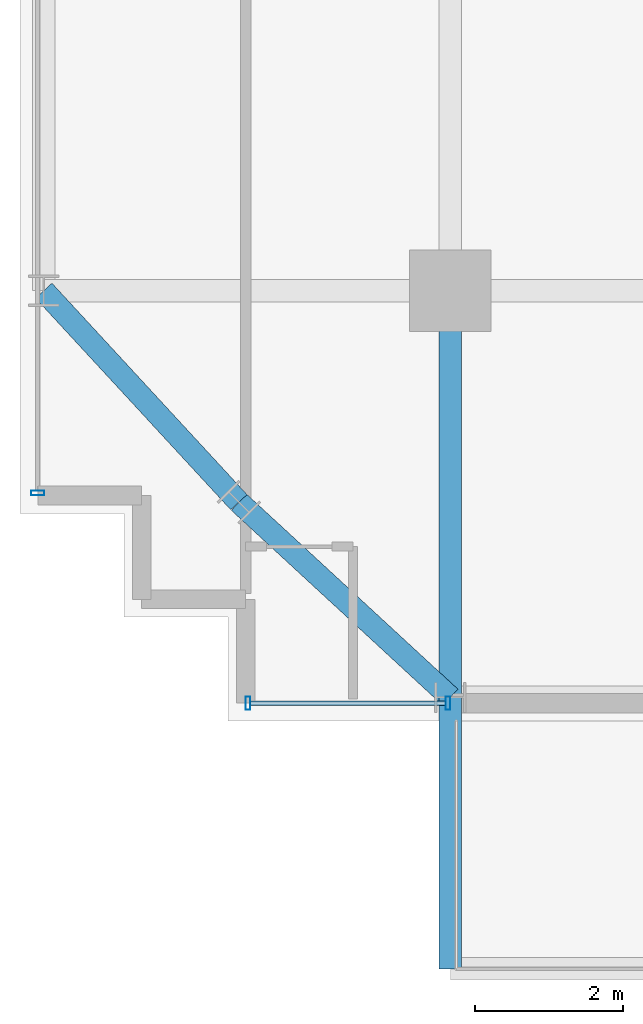
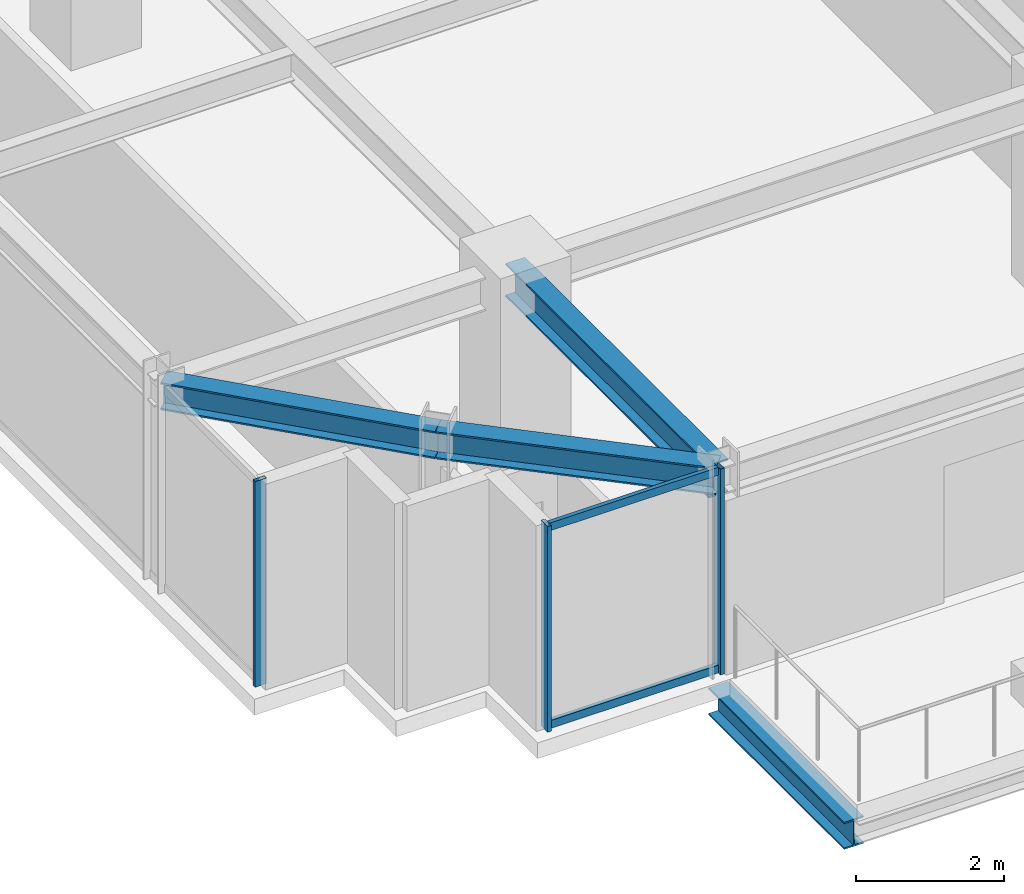
# One storey, part 2 of 31: 5 members, 4 beams, 2 elements without a shape of their own.
"""IFC4 building model written with IfcOpenShell, lengths in metres."""

from ifc_helpers import new_model, si_unit, direction, frame, origin, origin_2d, place, context, subcontext, project, spatial, hollow_rectangle, i_section, extrude, source, transform, mapped, material, material_profile, profile_set, type_object, element, aggregate, save


model = new_model("IFC4")

# Units and contexts
model_context = context("Model", 3, precision=1e-05, world=origin(), true_north=direction((0.0, 1.0)))
body_context = subcontext(model_context, "Body", "Model", "MODEL_VIEW")
ifc_project = project(units=[si_unit("LENGTHUNIT", "METRE"), si_unit("AREAUNIT", "SQUARE_METRE"), si_unit("VOLUMEUNIT", "CUBIC_METRE"), si_unit("PLANEANGLEUNIT", "RADIAN"), si_unit("MASSUNIT", "GRAM", prefix="KILO")], contexts=[model_context])

# Site, building, storey
site_placement = place(None, origin())
site = spatial("IfcSite", under=ifc_project, at=site_placement, CompositionType="ELEMENT")
building_placement = place(site_placement, origin())
building = spatial("IfcBuilding", under=site, at=building_placement, Name="Nahalor Promenade Grand Hotel", CompositionType="ELEMENT")
storey_placement = place(building_placement, frame((0.0, 0.0, 192.800048828125)))
storey = spatial("IfcBuildingStorey", under=building, at=storey_placement, Name="L49", CompositionType="ELEMENT", Elevation=192.800048828125)

# Beams
ifc_material_1 = material(Name="Steel S355JR", Category="steel")
ifc_material_profile_1 = material_profile(ifc_material_1, i_section(OverallWidth=0.3, OverallDepth=0.45, WebThickness=0.014, FlangeThickness=0.026, at=origin_2d()), Name="HEB 450")
ifc_profile_set_1 = profile_set([ifc_material_profile_1], Name="Steel S355JR")
beam_type_1 = type_object("IfcBeamType", Name="Beam-Outrigger-HEB450", PredefinedType="BEAM", material=ifc_profile_set_1)
shared_shape_1 = source(origin(), body_context, "Body", "SweptSolid", [
    extrude(i_section(OverallWidth=0.3, OverallDepth=0.45, WebThickness=0.014, FlangeThickness=0.026, at=origin_2d()), origin(), (0.0, 0.0, 1.0), 3.659912109375),
])
beam_1_placement = place(storey_placement, frame((-17.0, -26.139892578125, -0.505126953125), z_axis=(0.0, 1.0, 0.0), x_axis=(-1.0, 0.0, 0.0)))
element("IfcBeam", 1, at=beam_1_placement, inside=storey, type_object=beam_type_1, Name="BM-L49-BC-01-1", PredefinedType="BEAM", context=body_context, shape_type="MappedRepresentation", body=[
    mapped(shared_shape_1, transform((0.0, 0.0, 0.0), scale=1.0)),
])
ifc_material_profile_2 = material_profile(ifc_material_1, i_section(OverallWidth=0.3, OverallDepth=0.55, WebThickness=0.015, FlangeThickness=0.029, at=origin_2d()), Name="HEB 550")
ifc_profile_set_2 = profile_set([ifc_material_profile_2], Name="Steel S355JR")
beam_type_2 = type_object("IfcBeamType", Name="Beam-Girder-HEB550", PredefinedType="BEAM", material=ifc_profile_set_2)
shared_shape_2 = source(origin(), body_context, "Body", "SweptSolid", [
    extrude(i_section(OverallWidth=0.3, OverallDepth=0.55, WebThickness=0.015, FlangeThickness=0.029, at=origin_2d()), origin(), (0.0, 0.0, 1.0), 5.47998046875),
])
beam_2_placement = place(storey_placement, frame((-17.0, -22.47998046875, 3.114990234375), z_axis=(0.0, 1.0, 0.0), x_axis=(-1.0, 0.0, 0.0)))
element("IfcBeam", 2, at=beam_2_placement, inside=storey, type_object=beam_type_2, Name="BM-L49-GY-0-0", PredefinedType="BEAM", context=body_context, shape_type="MappedRepresentation", body=[
    mapped(shared_shape_2, transform((0.0, 0.0, 0.0), scale=1.0)),
])
ifc_material_profile_3 = material_profile(ifc_material_1, i_section(OverallWidth=0.3, OverallDepth=0.45, WebThickness=0.014, FlangeThickness=0.026, at=origin_2d()), Name="HEB 450")
ifc_profile_set_3 = profile_set([ifc_material_profile_3], Name="Steel S355JR")
beam_type_3 = type_object("IfcBeamType", Name="Beam-Spandrel-HEB450", PredefinedType="SPANDREL", material=ifc_profile_set_3)
shared_shape_3 = source(origin(), body_context, "Body", "SweptSolid", [
    extrude(i_section(OverallWidth=0.3, OverallDepth=0.45, WebThickness=0.014, FlangeThickness=0.026, at=origin_2d()), origin(), (0.0, 0.0, 1.0), 3.878173828125),
])
for number, where, z_axis, x_axis, name in (
    (3, (-17.0, -22.47998046875, 3.1650390625), (-0.73492893846, 0.678144125843, 0.0), (-0.678144125843, -0.73492893846, 0.0), "BM-L49-SPC-SW-1"),
    (4, (-19.85009765625, -19.85009765625, 3.1650390625), (-0.678144125843, 0.73492893846, 0.0), (-0.73492893846, -0.678144125843, 0.0), "BM-L49-SPC-SW-2"),
):
    element("IfcBeam", number, at=place(storey_placement, frame(where, z_axis=z_axis, x_axis=x_axis)), inside=storey, type_object=beam_type_3, Name=name, PredefinedType="SPANDREL", context=body_context, shape_type="MappedRepresentation", body=[
        mapped(shared_shape_3, transform((0.0, 0.0, 0.0), scale=1.0)),
    ])

# Curtain wall, members
ifc_material_2 = material(Name="Anodised Bronze Aluminium EN AW-6063 T6", Category="aluminium")
curtain_wall_type = type_object("IfcCurtainWallType", Name="CW2 Typical Hotel Flush Bronze Unitised Curtain Wall", PredefinedType="USERDEFINED", material=ifc_material_2)
curtain_wall_1_placement = place(storey_placement, origin())
curtain_wall_1 = element("IfcCurtainWall", 5, at=curtain_wall_1_placement, inside=storey, type_object=curtain_wall_type, Name="L49 Curtain Wall CW-L49-S-1", ObjectType="UNITISED_CURTAIN_WALL", PredefinedType="USERDEFINED")
ifc_material_profile_4 = material_profile(ifc_material_2, hollow_rectangle(XDim=0.065, YDim=0.18, WallThickness=0.004, at=origin_2d()), Name="CWM 65x180x4")
ifc_profile_set_4 = profile_set([ifc_material_profile_4], Name="Anodised Bronze Aluminium EN AW-6063 T6")
member_type_1 = type_object("IfcMemberType", Name="CWM2 Typical Bronze Mullion 65x180", PredefinedType="MULLION", material=ifc_profile_set_4)
shared_shape_4 = source(origin(), body_context, "Body", "SweptSolid", [
    extrude(hollow_rectangle(XDim=0.065, YDim=0.18, WallThickness=0.004, at=origin_2d()), origin(), (0.0, 0.0, 1.0), 3.389892578125),
])
member_1_placement = place(storey_placement, frame((-19.7275390625, -22.56005859375, 0.0), z_axis=(0.0, 0.0, 1.0), x_axis=(1.0, 0.0, 0.0)))
member_1 = element("IfcMember", 6, at=member_1_placement, type_object=member_type_1, Name="CW-L49-S-1 Mullion 0", PredefinedType="MULLION", context=body_context, shape_type="MappedRepresentation", body=[
    mapped(shared_shape_4, transform((0.0, 0.0, 0.0), scale=1.0)),
])
member_2_placement = place(storey_placement, frame((-17.032470703125, -22.56005859375, 0.0), z_axis=(0.0, 0.0, 1.0), x_axis=(1.0, 0.0, 0.0)))
member_2 = element("IfcMember", 7, at=member_2_placement, type_object=member_type_1, Name="CW-L49-S-1 Mullion 1", PredefinedType="MULLION", context=body_context, shape_type="MappedRepresentation", body=[
    mapped(shared_shape_4, transform((0.0, 0.0, 0.0), scale=1.0)),
])

# Curtain wall, member
curtain_wall_2_placement = place(storey_placement, origin())
curtain_wall_2 = element("IfcCurtainWall", 8, at=curtain_wall_2_placement, inside=storey, type_object=curtain_wall_type, Name="L49 Curtain Wall CW-L49-W-1", ObjectType="UNITISED_CURTAIN_WALL", PredefinedType="USERDEFINED")
member_3_placement = place(storey_placement, frame((-22.56005859375, -19.7275390625, 0.0), z_axis=(0.0, 0.0, 1.0), x_axis=(0.0, 1.0, 0.0)))
member_3 = element("IfcMember", 9, at=member_3_placement, type_object=member_type_1, Name="CW-L49-W-1 Mullion 0", PredefinedType="MULLION", context=body_context, shape_type="MappedRepresentation", body=[
    mapped(shared_shape_4, transform((0.0, 0.0, 0.0), scale=1.0)),
])
aggregate(curtain_wall_2, [member_3])

# Member
ifc_material_profile_5 = material_profile(ifc_material_2, hollow_rectangle(XDim=0.065, YDim=0.13, WallThickness=0.004, at=origin_2d()), Name="CWT 65x130x4")
ifc_profile_set_5 = profile_set([ifc_material_profile_5], Name="Anodised Bronze Aluminium EN AW-6063 T6")
member_type_2 = type_object("IfcMemberType", Name="CWT2 Typical Bronze Transom 65x130", PredefinedType="USERDEFINED", material=ifc_profile_set_5)
shared_shape_5 = source(origin(), body_context, "Body", "SweptSolid", [
    extrude(hollow_rectangle(XDim=0.065, YDim=0.13, WallThickness=0.004, at=origin_2d()), origin(), (0.0, 0.0, 1.0), 2.630126953125),
])
member_4_placement = place(storey_placement, frame((-19.695068359375, -22.56005859375, 0.06494140625), z_axis=(1.0, 0.0, 0.0), x_axis=(0.0, 1.0, 0.0)))
member_4 = element("IfcMember", 10, at=member_4_placement, type_object=member_type_2, Name="CW-L49-S-1 Transom 0-0", ObjectType="TRANSOM", PredefinedType="USERDEFINED", context=body_context, shape_type="MappedRepresentation", body=[
    mapped(shared_shape_5, transform((0.0, 0.0, 0.0), scale=1.0)),
])

member_5_placement = place(storey_placement, frame((-19.695068359375, -22.56005859375, 3.324951171875), z_axis=(1.0, 0.0, 0.0), x_axis=(0.0, 1.0, 0.0)))
member_5 = element("IfcMember", 11, at=member_5_placement, type_object=member_type_2, Name="CW-L49-S-1 Transom 0-1", ObjectType="TRANSOM", PredefinedType="USERDEFINED", context=body_context, shape_type="MappedRepresentation", body=[
    mapped(shared_shape_5, transform((0.0, 0.0, 0.0), scale=1.0)),
])

aggregate(curtain_wall_1, [member_1, member_2, member_4, member_5])

save(model, "model.ifc")
